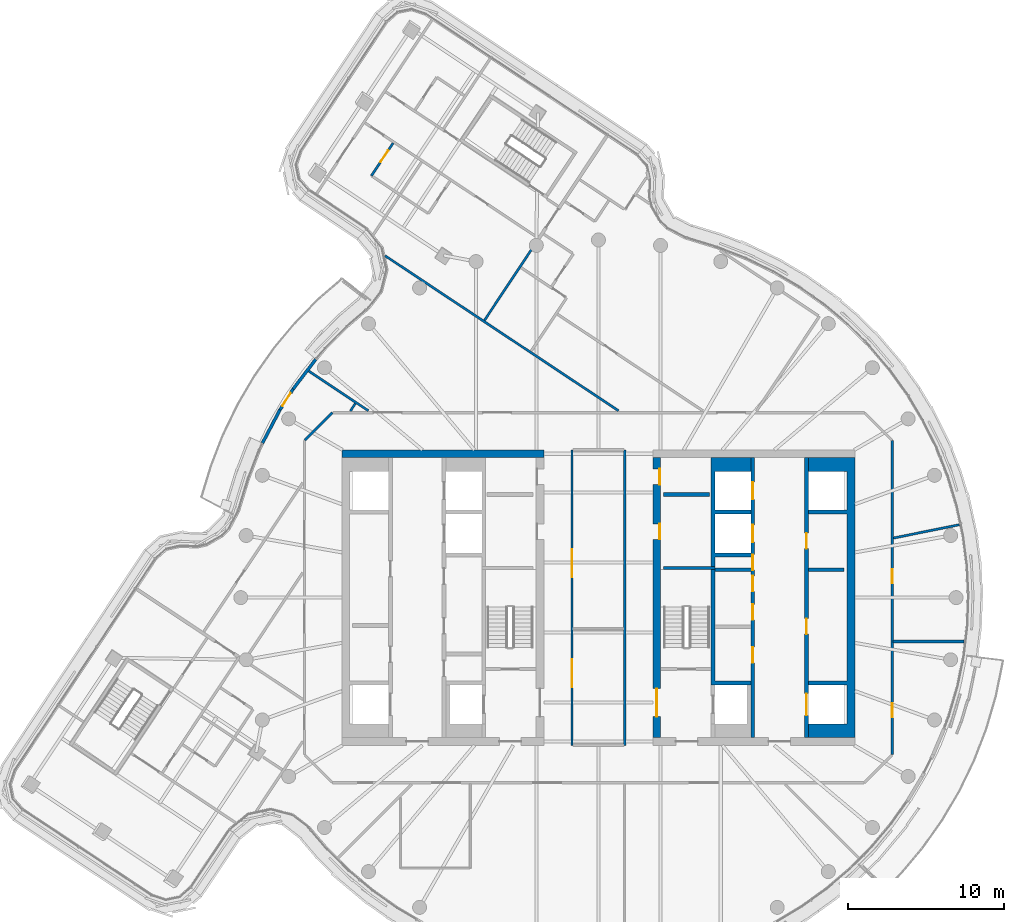
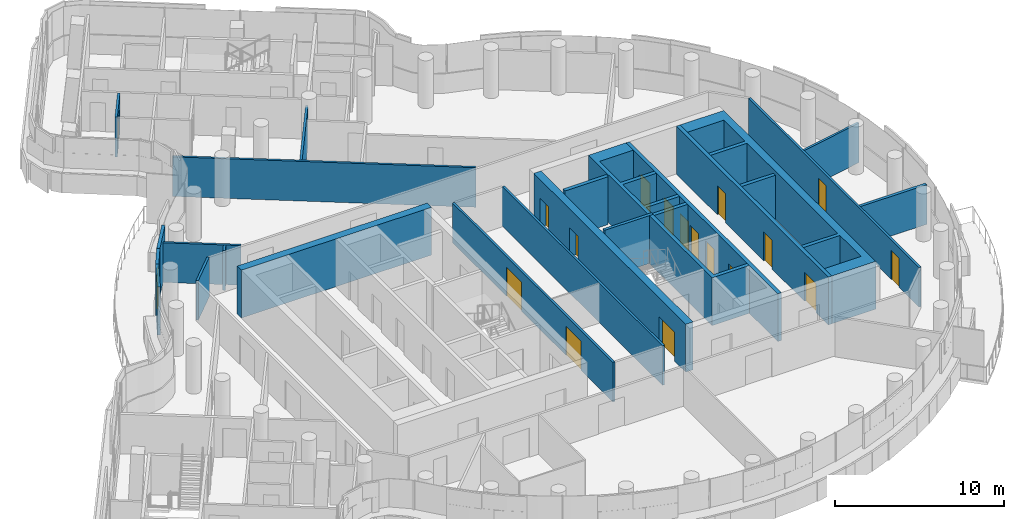
# One storey, part 19 of 27: 24 walls, 18 doors, 18 openings.
"""IFC4 building model written with IfcOpenShell, lengths in metres."""

from ifc_helpers import new_model, si_unit, direction, frame, frame_2d, origin, place, context, subcontext, project, spatial, polyline, rectangle, outline, extrude, material, layer, layer_set, type_object, element, fill, save


model = new_model("IFC4")

# Units and contexts
model_context = context("Model", 3, precision=1e-05, world=origin(), true_north=direction((0.0, 1.0)))
body_context = subcontext(model_context, "Body", "Model", "MODEL_VIEW")
ifc_project = project(units=[si_unit("LENGTHUNIT", "METRE"), si_unit("AREAUNIT", "SQUARE_METRE"), si_unit("VOLUMEUNIT", "CUBIC_METRE"), si_unit("PLANEANGLEUNIT", "RADIAN"), si_unit("MASSUNIT", "GRAM", prefix="KILO")], contexts=[model_context])

# Site, building, storey
site_placement = place(None, origin())
site = spatial("IfcSite", under=ifc_project, at=site_placement, CompositionType="ELEMENT")
building_placement = place(site_placement, origin())
building = spatial("IfcBuilding", under=site, at=building_placement, Name="Tamarind Cross Interchange Tower", CompositionType="ELEMENT")
storey_placement = place(building_placement, frame((0.0, 0.0, 237.89990234375)))
storey = spatial("IfcBuildingStorey", under=building, at=storey_placement, Name="L60", CompositionType="ELEMENT", Elevation=237.89990234375)

# Walls
ifc_material_1 = material(Name="Concrete C40", Category="concrete")
ifc_layer_1 = layer(ifc_material_1, 0.199951171875)
ifc_layer_set_1 = layer_set([ifc_layer_1], Name="Concrete C40")
wall_type_1 = type_object("IfcWallType", Name="Balcony and garden door wall", PredefinedType="SOLIDWALL", material=ifc_layer_set_1)
wall_1_placement = place(storey_placement, frame((-18.17138671875, 15.332275390625, 0.0), z_axis=(0.0, 0.0, 1.0), x_axis=(-0.606394798993, -0.795163723867, 0.0)))
element("IfcWall", 1, at=wall_1_placement, inside=storey, type_object=wall_type_1, Name="EXW-L60-06-D02L", PredefinedType="SOLIDWALL", context=body_context, shape_type="SweptSolid", body=[
    extrude(rectangle(XDim=2.405517578125, YDim=0.199951171875, at=frame_2d((1.20263671875, 0.0))), origin(), (0.0, 0.0, 1.0), 3.460205078125),
])
wall_2_placement = place(storey_placement, frame((-20.48486328125, 12.068359375, 0.0), z_axis=(0.0, 0.0, 1.0), x_axis=(-0.464985044418, -0.88531853503, 0.0)))
element("IfcWall", 2, at=wall_2_placement, inside=storey, type_object=wall_type_1, Name="EXW-L60-06-D02R", PredefinedType="SOLIDWALL", context=body_context, shape_type="SweptSolid", body=[
    extrude(rectangle(XDim=2.40576171875, YDim=0.199951171875, at=frame_2d((1.202880859375, 0.0))), origin(), (0.0, 0.0, 1.0), 3.460205078125),
])

# Wall, opening, door
wall_3_placement = place(storey_placement, frame((-19.630126953125, 13.41943359375, 0.0), z_axis=(0.0, 0.0, 1.0), x_axis=(-0.534630584226, -0.845085876352, 0.0)))
wall_3 = element("IfcWall", 3, at=wall_3_placement, inside=storey, type_object=wall_type_1, Name="EXW-L60-06-D02", PredefinedType="SOLIDWALL", context=body_context, shape_type="SweptSolid", body=[
    extrude(rectangle(XDim=1.5986328125, YDim=0.199951171875, at=frame_2d((0.79931640625, 0.0))), origin(), (0.0, 0.0, 1.0), 3.460205078125),
])
opening_1_placement = place(wall_3_placement, frame((0.29931640625, 0.0, 0.0)))
opening_1 = element("IfcOpeningElement", 4, at=opening_1_placement, cuts=wall_3, Name="Opening D2", PredefinedType="OPENING", context=body_context, shape_type="SweptSolid", body=[
    extrude(rectangle(XDim=1.0, YDim=2.39990234375, at=frame_2d((0.5, 1.199951171875))), frame((0.0, 0.10986328125, 0.0), z_axis=(0.0, -1.0, 0.0), x_axis=(1.0, 0.0, 0.0)), (0.0, 0.0, 1.0), 0.219970703125),
])
ifc_material_2 = material(Name="Aluminium and toughened glass", Category="aluminium")
door_type_1 = type_object("IfcDoorType", Name="Balcony and garden door", OperationType="SINGLE_SWING_LEFT", PredefinedType="DOOR", material=ifc_material_2)
door_1_placement = place(opening_1_placement, origin())
door_1 = element("IfcDoor", 5, at=door_1_placement, inside=storey, type_object=door_type_1, Name="DOR-L60-06-02", OperationType="SINGLE_SWING_LEFT", OverallHeight=2.39990234375, OverallWidth=1.0, PredefinedType="DOOR", context=body_context, shape_type="SweptSolid", body=[
    extrude(rectangle(XDim=1.0, YDim=2.39990234375, at=frame_2d((0.5, 1.199951171875))), frame((0.0, 0.02490234375, 0.0), z_axis=(0.0, -1.0, 0.0), x_axis=(1.0, 0.0, 0.0)), (0.0, 0.0, 1.0), 0.050048828125),
])
fill(opening_1, door_1)

# Walls
ifc_material_3 = material(Name="Concrete C50", Category="concrete")
ifc_layer_2 = layer(ifc_material_3, 0.5)
ifc_layer_set_2 = layer_set([ifc_layer_2], Name="Concrete C50")
wall_type_2 = type_object("IfcWallType", Name="Core wall 500 mm Concrete C50", PredefinedType="SHEAR", material=ifc_layer_set_2)
wall_4_placement = place(storey_placement, frame((-16.5, 9.25, 0.0), z_axis=(0.0, 0.0, 1.0), x_axis=(1.0, 0.0, 0.0)))
element("IfcWall", 6, at=wall_4_placement, inside=storey, type_object=wall_type_2, Name="Core wall CWL-L60-W-NE", PredefinedType="SHEAR", context=body_context, shape_type="SweptSolid", body=[
    extrude(rectangle(XDim=13.0, YDim=0.5, at=frame_2d((6.5, 0.0))), origin(), (0.0, 0.0, 1.0), 3.460205078125),
])
wall_5_placement = place(storey_placement, origin())
element("IfcWall", 7, at=wall_5_placement, inside=storey, type_object=wall_type_2, Name="Core wall CWL-L60-E-A", PredefinedType="SHEAR", context=body_context, shape_type="SweptSolid", body=[
    extrude(outline(polyline([(13.5, -8.125), (13.5, -9.0), (16.0, -9.0), (16.5, -9.0), (16.5, 9.0), (16.0, 9.0), (13.5, 9.0), (13.5, 8.125), (16.0, 8.125), (16.0, 5.625), (13.5, 5.625), (13.5, 5.375), (16.0, 5.375), (16.0, -5.375), (13.5, -5.375), (13.5, -5.625), (16.0, -5.625), (16.0, -8.125), (13.5, -8.125)])), origin(), (0.0, 0.0, 1.0), 3.460205078125),
])

# Wall, openings, doors
wall_6_placement = place(storey_placement, frame((3.75, -9.0, 0.0), z_axis=(0.0, 0.0, 1.0), x_axis=(0.0, 1.0, 0.0)))
wall_6 = element("IfcWall", 8, at=wall_6_placement, inside=storey, type_object=wall_type_2, Name="Core wall CWL-L60-E-IN", PredefinedType="SHEAR", context=body_context, shape_type="SweptSolid", body=[
    extrude(rectangle(XDim=18.0, YDim=0.5, at=frame_2d((9.0, 0.0))), origin(), (0.0, 0.0, 1.0), 3.460205078125),
])
opening_2_placement = place(wall_6_placement, frame((1.35009765625, 0.0, 0.0)))
opening_2 = element("IfcOpeningElement", 9, at=opening_2_placement, cuts=wall_6, Name="Opening DCE4", PredefinedType="OPENING", context=body_context, shape_type="SweptSolid", body=[
    extrude(rectangle(XDim=1.800048828125, YDim=2.10009765625, at=frame_2d((0.89990234375, 1.050048828125))), frame((0.0, 0.260009765625, 0.0), z_axis=(0.0, -1.0, 0.0), x_axis=(1.0, 0.0, 0.0)), (0.0, 0.0, 1.0), 0.52001953125),
])
opening_3_placement = place(wall_6_placement, frame((12.74951171875, 0.0, 0.0)))
opening_3 = element("IfcOpeningElement", 10, at=opening_3_placement, cuts=wall_6, Name="Opening DCE5", PredefinedType="OPENING", context=body_context, shape_type="SweptSolid", body=[
    extrude(rectangle(XDim=1.0, YDim=2.10009765625, at=frame_2d((0.5, 1.050048828125))), frame((0.0, 0.260009765625, 0.0), z_axis=(0.0, -1.0, 0.0), x_axis=(1.0, 0.0, 0.0)), (0.0, 0.0, 1.0), 0.52001953125),
])
opening_4_placement = place(wall_6_placement, frame((16.2744140625, 0.0, 0.0)))
opening_4 = element("IfcOpeningElement", 11, at=opening_4_placement, cuts=wall_6, Name="Opening DCE5", PredefinedType="OPENING", context=body_context, shape_type="SweptSolid", body=[
    extrude(rectangle(XDim=1.0, YDim=2.10009765625, at=frame_2d((0.5, 1.050048828125))), frame((0.0, 0.260009765625, 0.0), z_axis=(0.0, -1.0, 0.0), x_axis=(1.0, 0.0, 0.0)), (0.0, 0.0, 1.0), 0.52001953125),
])
ifc_material_4 = material(Name="Steel, fire-resisting", Category="steel")
door_type_2 = type_object("IfcDoorType", Name="Core fire door 1000 x 2100 FD90", OperationType="SINGLE_SWING_LEFT", PredefinedType="DOOR", material=ifc_material_4)
door_2_placement = place(opening_3_placement, origin())
door_2 = element("IfcDoor", 12, at=door_2_placement, inside=storey, type_object=door_type_2, Name="L60 riser room door", OperationType="SINGLE_SWING_LEFT", OverallHeight=2.10009765625, OverallWidth=1.0, PredefinedType="DOOR", context=body_context, shape_type="SweptSolid", body=[
    extrude(rectangle(XDim=1.0, YDim=2.10009765625, at=frame_2d((0.5, 1.050048828125))), frame((0.0, -0.1748046875, 0.0), z_axis=(0.0, -1.0, 0.0), x_axis=(1.0, 0.0, 0.0)), (0.0, 0.0, 1.0), 0.050048828125),
])
fill(opening_3, door_2)
door_3_placement = place(opening_4_placement, origin())
door_3 = element("IfcDoor", 13, at=door_3_placement, inside=storey, type_object=door_type_2, Name="L60 linen press door", OperationType="SINGLE_SWING_LEFT", OverallHeight=2.10009765625, OverallWidth=1.0, PredefinedType="DOOR", context=body_context, shape_type="SweptSolid", body=[
    extrude(rectangle(XDim=1.0, YDim=2.10009765625, at=frame_2d((0.5, 1.050048828125))), frame((0.0, -0.1748046875, 0.0), z_axis=(0.0, -1.0, 0.0), x_axis=(1.0, 0.0, 0.0)), (0.0, 0.0, 1.0), 0.050048828125),
])
fill(opening_4, door_3)
door_type_3 = type_object("IfcDoorType", Name="Core fire door 1800 x 2100 FD90", OperationType="SINGLE_SWING_LEFT", PredefinedType="DOOR", material=ifc_material_4)
door_4_placement = place(opening_2_placement, origin())
door_4 = element("IfcDoor", 14, at=door_4_placement, inside=storey, type_object=door_type_3, Name="L60 firefighting lobby door", OperationType="SINGLE_SWING_LEFT", OverallHeight=2.10009765625, OverallWidth=1.800048828125, PredefinedType="DOOR", context=body_context, shape_type="SweptSolid", body=[
    extrude(rectangle(XDim=1.800048828125, YDim=2.10009765625, at=frame_2d((0.89990234375, 1.050048828125))), frame((0.0, 0.02490234375, 0.0), z_axis=(0.0, -1.0, 0.0), x_axis=(1.0, 0.0, 0.0)), (0.0, 0.0, 1.0), 0.050048828125),
])
fill(opening_2, door_4)

# Walls
ifc_layer_3 = layer(ifc_material_3, 0.199951171875)
ifc_layer_set_3 = layer_set([ifc_layer_3], Name="Concrete C50")
wall_type_3 = type_object("IfcWallType", Name="Core web wall 200 mm Concrete C50", PredefinedType="SHEAR", material=ifc_layer_set_3)
wall_7_placement = place(storey_placement, frame((7.5, 1.89990234375, 0.0), z_axis=(0.0, 0.0, 1.0), x_axis=(-1.0, 0.0, 0.0)))
element("IfcWall", 15, at=wall_7_placement, inside=storey, type_object=wall_type_3, Name="Core wall CWL-L60-E-BD", PredefinedType="SHEAR", context=body_context, shape_type="SweptSolid", body=[
    extrude(rectangle(XDim=3.300048828125, YDim=0.199951171875, at=frame_2d((1.64990234375, 0.0))), origin(), (0.0, 0.0, 1.0), 3.460205078125),
])
ifc_layer_4 = layer(ifc_material_3, 0.25)
ifc_layer_set_4 = layer_set([ifc_layer_4], Name="Concrete C50")
wall_type_4 = type_object("IfcWallType", Name="Core web wall 250 mm Concrete C50", PredefinedType="SHEAR", material=ifc_layer_set_4)
wall_8_placement = place(storey_placement, origin())
element("IfcWall", 16, at=wall_8_placement, inside=storey, type_object=wall_type_4, Name="Core wall CWL-L60-E-BN", PredefinedType="SHEAR", context=body_context, shape_type="SweptSolid", body=[
    extrude(outline(polyline([(9.800048828125, -5.375), (7.5, -5.375), (7.5, 2.625), (9.800048828125, 2.625), (9.800048828125, 2.875), (7.5, 2.875), (7.5, 5.375), (9.800048828125, 5.375), (9.800048828125, 5.625), (7.5, 5.625), (7.5, 8.125), (9.800048828125, 8.125), (9.800048828125, 9.0), (7.5, 9.0), (7.25, 9.0), (7.25, -5.625), (7.5, -5.625), (9.800048828125, -5.625), (9.800048828125, -5.375)])), origin(), (0.0, 0.0, 1.0), 3.460205078125),
])

# Wall, openings, doors
wall_9_placement = place(storey_placement, frame((13.375, -9.0, 0.0), z_axis=(0.0, 0.0, 1.0), x_axis=(0.0, 1.0, 0.0)))
wall_9 = element("IfcWall", 17, at=wall_9_placement, inside=storey, type_object=wall_type_4, Name="Core wall CWL-L60-E-LA", PredefinedType="SHEAR", context=body_context, shape_type="SweptSolid", body=[
    extrude(rectangle(XDim=18.0, YDim=0.25, at=frame_2d((9.0, 0.0))), origin(), (0.0, 0.0, 1.0), 3.460205078125),
])
opening_5_placement = place(wall_9_placement, frame((1.425048828125, 0.0, 0.0)))
opening_5 = element("IfcOpeningElement", 18, at=opening_5_placement, cuts=wall_9, Name="Opening LD13L60", PredefinedType="OPENING", context=body_context, shape_type="SweptSolid", body=[
    extrude(rectangle(XDim=1.39990234375, YDim=2.10009765625, at=frame_2d((0.699951171875, 1.050048828125))), frame((0.0, 0.135009765625, 0.0), z_axis=(0.0, -1.0, 0.0), x_axis=(1.0, 0.0, 0.0)), (0.0, 0.0, 1.0), 0.27001953125),
])
opening_6_placement = place(wall_9_placement, frame((6.64599609375, 0.0, 0.0)))
opening_6 = element("IfcOpeningElement", 19, at=opening_6_placement, cuts=wall_9, Name="Opening DCE9", PredefinedType="OPENING", context=body_context, shape_type="SweptSolid", body=[
    extrude(rectangle(XDim=1.0, YDim=2.10009765625, at=frame_2d((0.5, 1.050048828125))), frame((0.0, 0.135009765625, 0.0), z_axis=(0.0, -1.0, 0.0), x_axis=(1.0, 0.0, 0.0)), (0.0, 0.0, 1.0), 0.27001953125),
])
opening_7_placement = place(wall_9_placement, frame((12.14599609375, 0.0, 0.0)))
opening_7 = element("IfcOpeningElement", 20, at=opening_7_placement, cuts=wall_9, Name="Opening DCE10", PredefinedType="OPENING", context=body_context, shape_type="SweptSolid", body=[
    extrude(rectangle(XDim=1.0, YDim=2.10009765625, at=frame_2d((0.5, 1.050048828125))), frame((0.0, 0.135009765625, 0.0), z_axis=(0.0, -1.0, 0.0), x_axis=(1.0, 0.0, 0.0)), (0.0, 0.0, 1.0), 0.27001953125),
])
door_5_placement = place(opening_6_placement, origin())
door_5 = element("IfcDoor", 21, at=door_5_placement, inside=storey, type_object=door_type_2, Name="L60 Ice and vending room door", OperationType="SINGLE_SWING_LEFT", OverallHeight=2.10009765625, OverallWidth=1.0, PredefinedType="DOOR", context=body_context, shape_type="SweptSolid", body=[
    extrude(rectangle(XDim=1.0, YDim=2.10009765625, at=frame_2d((0.5, 1.050048828125))), frame((0.0, 0.02490234375, 0.0), z_axis=(0.0, -1.0, 0.0), x_axis=(1.0, 0.0, 0.0)), (0.0, 0.0, 1.0), 0.050048828125),
])
fill(opening_6, door_5)
door_6_placement = place(opening_7_placement, origin())
door_6 = element("IfcDoor", 22, at=door_6_placement, inside=storey, type_object=door_type_2, Name="L60 Guest laundry door", OperationType="SINGLE_SWING_LEFT", OverallHeight=2.10009765625, OverallWidth=1.0, PredefinedType="DOOR", context=body_context, shape_type="SweptSolid", body=[
    extrude(rectangle(XDim=1.0, YDim=2.10009765625, at=frame_2d((0.5, 1.050048828125))), frame((0.0, 0.02490234375, 0.0), z_axis=(0.0, -1.0, 0.0), x_axis=(1.0, 0.0, 0.0)), (0.0, 0.0, 1.0), 0.050048828125),
])
fill(opening_7, door_6)
ifc_material_5 = material(Name="Stainless steel panel", Category="steel")
door_type_4 = type_object("IfcDoorType", Name="Lift landing door 1400 x 2100 E 120", OperationType="SLIDING_TO_LEFT", PredefinedType="DOOR", material=ifc_material_5)
door_7_placement = place(opening_5_placement, origin())
door_7 = element("IfcDoor", 23, at=door_7_placement, inside=storey, type_object=door_type_4, Name="L60 landing door LF13", OperationType="SLIDING_TO_LEFT", OverallHeight=2.10009765625, OverallWidth=1.39990234375, PredefinedType="DOOR", context=body_context, shape_type="SweptSolid", body=[
    extrude(rectangle(XDim=1.39990234375, YDim=2.10009765625, at=frame_2d((0.699951171875, 1.050048828125))), frame((0.0, 0.02490234375, 0.0), z_axis=(0.0, -1.0, 0.0), x_axis=(1.0, 0.0, 0.0)), (0.0, 0.0, 1.0), 0.050048828125),
])
fill(opening_5, door_7)

wall_10_placement = place(storey_placement, frame((9.925048828125, -9.0, 0.0), z_axis=(0.0, 0.0, 1.0), x_axis=(0.0, 1.0, 0.0)))
wall_10 = element("IfcWall", 24, at=wall_10_placement, inside=storey, type_object=wall_type_4, Name="Core wall CWL-L60-E-LB", PredefinedType="SHEAR", context=body_context, shape_type="SweptSolid", body=[
    extrude(rectangle(XDim=18.0, YDim=0.25, at=frame_2d((9.0, 0.0))), origin(), (0.0, 0.0, 1.0), 3.460205078125),
])
opening_8_placement = place(wall_10_placement, frame((12.574951171875, 0.0, 0.0)))
opening_8 = element("IfcOpeningElement", 25, at=opening_8_placement, cuts=wall_10, Name="Opening LD23L60", PredefinedType="OPENING", context=body_context, shape_type="SweptSolid", body=[
    extrude(rectangle(XDim=1.10009765625, YDim=2.10009765625, at=frame_2d((0.550048828125, 1.050048828125))), frame((0.0, 0.135009765625, 0.0), z_axis=(0.0, -1.0, 0.0), x_axis=(1.0, 0.0, 0.0)), (0.0, 0.0, 1.0), 0.27001953125),
])
opening_9_placement = place(wall_10_placement, frame((15.324951171875, 0.0, 0.0)))
opening_9 = element("IfcOpeningElement", 26, at=opening_9_placement, cuts=wall_10, Name="Opening LD24L60", PredefinedType="OPENING", context=body_context, shape_type="SweptSolid", body=[
    extrude(rectangle(XDim=1.10009765625, YDim=2.10009765625, at=frame_2d((0.550048828125, 1.050048828125))), frame((0.0, 0.135009765625, 0.0), z_axis=(0.0, -1.0, 0.0), x_axis=(1.0, 0.0, 0.0)), (0.0, 0.0, 1.0), 0.27001953125),
])
opening_10_placement = place(wall_10_placement, frame((4.8125, 0.0, 0.0)))
opening_10 = element("IfcOpeningElement", 27, at=opening_10_placement, cuts=wall_10, Name="Opening DCE21", PredefinedType="OPENING", context=body_context, shape_type="SweptSolid", body=[
    extrude(rectangle(XDim=1.0, YDim=2.10009765625, at=frame_2d((0.5, 1.050048828125))), frame((0.0, 0.135009765625, 0.0), z_axis=(0.0, -1.0, 0.0), x_axis=(1.0, 0.0, 0.0)), (0.0, 0.0, 1.0), 0.27001953125),
])
opening_11_placement = place(wall_10_placement, frame((7.5625, 0.0, 0.0)))
opening_11 = element("IfcOpeningElement", 28, at=opening_11_placement, cuts=wall_10, Name="Opening DCE22", PredefinedType="OPENING", context=body_context, shape_type="SweptSolid", body=[
    extrude(rectangle(XDim=1.0, YDim=2.10009765625, at=frame_2d((0.5, 1.050048828125))), frame((0.0, 0.135009765625, 0.0), z_axis=(0.0, -1.0, 0.0), x_axis=(1.0, 0.0, 0.0)), (0.0, 0.0, 1.0), 0.27001953125),
])
opening_12_placement = place(wall_10_placement, frame((9.39599609375, 0.0, 0.0)))
opening_12 = element("IfcOpeningElement", 29, at=opening_12_placement, cuts=wall_10, Name="Opening DCE21", PredefinedType="OPENING", context=body_context, shape_type="SweptSolid", body=[
    extrude(rectangle(XDim=1.0, YDim=2.10009765625, at=frame_2d((0.5, 1.050048828125))), frame((0.0, 0.135009765625, 0.0), z_axis=(0.0, -1.0, 0.0), x_axis=(1.0, 0.0, 0.0)), (0.0, 0.0, 1.0), 0.27001953125),
])
opening_13_placement = place(wall_10_placement, frame((10.77099609375, 0.0, 0.0)))
opening_13 = element("IfcOpeningElement", 30, at=opening_13_placement, cuts=wall_10, Name="Opening DCE22", PredefinedType="OPENING", context=body_context, shape_type="SweptSolid", body=[
    extrude(rectangle(XDim=1.0, YDim=2.10009765625, at=frame_2d((0.5, 1.050048828125))), frame((0.0, 0.135009765625, 0.0), z_axis=(0.0, -1.0, 0.0), x_axis=(1.0, 0.0, 0.0)), (0.0, 0.0, 1.0), 0.27001953125),
])
door_8_placement = place(opening_10_placement, origin())
door_8 = element("IfcDoor", 31, at=door_8_placement, inside=storey, type_object=door_type_2, Name="L60 Staff changing room door", OperationType="SINGLE_SWING_LEFT", OverallHeight=2.10009765625, OverallWidth=1.0, PredefinedType="DOOR", context=body_context, shape_type="SweptSolid", body=[
    extrude(rectangle(XDim=1.0, YDim=2.10009765625, at=frame_2d((0.5, 1.050048828125))), frame((0.0, 0.02490234375, 0.0), z_axis=(0.0, -1.0, 0.0), x_axis=(1.0, 0.0, 0.0)), (0.0, 0.0, 1.0), 0.050048828125),
])
fill(opening_10, door_8)
door_9_placement = place(opening_11_placement, origin())
door_9 = element("IfcDoor", 32, at=door_9_placement, inside=storey, type_object=door_type_2, Name="L60 Ice and vending room door", OperationType="SINGLE_SWING_LEFT", OverallHeight=2.10009765625, OverallWidth=1.0, PredefinedType="DOOR", context=body_context, shape_type="SweptSolid", body=[
    extrude(rectangle(XDim=1.0, YDim=2.10009765625, at=frame_2d((0.5, 1.050048828125))), frame((0.0, 0.02490234375, 0.0), z_axis=(0.0, -1.0, 0.0), x_axis=(1.0, 0.0, 0.0)), (0.0, 0.0, 1.0), 0.050048828125),
])
fill(opening_11, door_9)
door_10_placement = place(opening_12_placement, origin())
door_10 = element("IfcDoor", 33, at=door_10_placement, inside=storey, type_object=door_type_2, Name="L60 Staff changing room door", OperationType="SINGLE_SWING_LEFT", OverallHeight=2.10009765625, OverallWidth=1.0, PredefinedType="DOOR", context=body_context, shape_type="SweptSolid", body=[
    extrude(rectangle(XDim=1.0, YDim=2.10009765625, at=frame_2d((0.5, 1.050048828125))), frame((0.0, 0.02490234375, 0.0), z_axis=(0.0, -1.0, 0.0), x_axis=(1.0, 0.0, 0.0)), (0.0, 0.0, 1.0), 0.050048828125),
])
fill(opening_12, door_10)
door_11_placement = place(opening_13_placement, origin())
door_11 = element("IfcDoor", 34, at=door_11_placement, inside=storey, type_object=door_type_2, Name="L60 Ice and vending room door", OperationType="SINGLE_SWING_LEFT", OverallHeight=2.10009765625, OverallWidth=1.0, PredefinedType="DOOR", context=body_context, shape_type="SweptSolid", body=[
    extrude(rectangle(XDim=1.0, YDim=2.10009765625, at=frame_2d((0.5, 1.050048828125))), frame((0.0, 0.02490234375, 0.0), z_axis=(0.0, -1.0, 0.0), x_axis=(1.0, 0.0, 0.0)), (0.0, 0.0, 1.0), 0.050048828125),
])
fill(opening_13, door_11)
door_type_5 = type_object("IfcDoorType", Name="Lift landing door 1100 x 2100 E 120", OperationType="SLIDING_TO_LEFT", PredefinedType="DOOR", material=ifc_material_5)
door_12_placement = place(opening_8_placement, origin())
door_12 = element("IfcDoor", 35, at=door_12_placement, inside=storey, type_object=door_type_5, Name="L60 landing door LF23", OperationType="SLIDING_TO_LEFT", OverallHeight=2.10009765625, OverallWidth=1.10009765625, PredefinedType="DOOR", context=body_context, shape_type="SweptSolid", body=[
    extrude(rectangle(XDim=1.10009765625, YDim=2.10009765625, at=frame_2d((0.550048828125, 1.050048828125))), frame((0.0, 0.02490234375, 0.0), z_axis=(0.0, -1.0, 0.0), x_axis=(1.0, 0.0, 0.0)), (0.0, 0.0, 1.0), 0.050048828125),
])
fill(opening_8, door_12)
door_13_placement = place(opening_9_placement, origin())
door_13 = element("IfcDoor", 36, at=door_13_placement, inside=storey, type_object=door_type_5, Name="L60 landing door LF24", OperationType="SLIDING_TO_LEFT", OverallHeight=2.10009765625, OverallWidth=1.10009765625, PredefinedType="DOOR", context=body_context, shape_type="SweptSolid", body=[
    extrude(rectangle(XDim=1.10009765625, YDim=2.10009765625, at=frame_2d((0.550048828125, 1.050048828125))), frame((0.0, 0.02490234375, 0.0), z_axis=(0.0, -1.0, 0.0), x_axis=(1.0, 0.0, 0.0)), (0.0, 0.0, 1.0), 0.050048828125),
])
fill(opening_9, door_13)

# Walls
ifc_material_6 = material(Name="Gypsum board partition on steel studs", Category="steel")
ifc_layer_5 = layer(ifc_material_6, 0.14990234375)
ifc_layer_set_5 = layer_set([ifc_layer_5], Name="Gypsum board partition on steel studs")
wall_type_5 = type_object("IfcWallType", Name="Partition 150 mm EI 120", PredefinedType="PARTITIONING", material=ifc_layer_set_5)
wall_11_placement = place(storey_placement, frame((-18.6630859375, 14.58935546875, 0.0), z_axis=(0.0, 0.0, 1.0), x_axis=(0.833043201899, -0.553207938997, 0.0)))
element("IfcWall", 37, at=wall_11_placement, inside=storey, type_object=wall_type_5, Name="Partition L60-012", PredefinedType="PARTITIONING", context=body_context, shape_type="SweptSolid", body=[
    extrude(rectangle(XDim=4.646728515625, YDim=0.14990234375, at=frame_2d((2.3232421875, 0.0))), origin(), (0.0, 0.0, 1.0), 2.864013671875),
])
wall_12_placement = place(storey_placement, frame((-13.716552734375, 21.984619140625, 0.0), z_axis=(0.0, 0.0, 1.0), x_axis=(0.833087033507, -0.553141929891, 0.0)))
element("IfcWall", 38, at=wall_12_placement, inside=storey, type_object=wall_type_5, Name="Partition L60-017", PredefinedType="PARTITIONING", context=body_context, shape_type="SweptSolid", body=[
    extrude(rectangle(XDim=18.016845703125, YDim=0.14990234375, at=frame_2d((9.00830078125, 0.0))), origin(), (0.0, 0.0, 1.0), 2.864013671875),
])
wall_13_placement = place(storey_placement, frame((18.973388671875, 3.831787109375, 0.0), z_axis=(0.0, 0.0, 1.0), x_axis=(0.980158884244, 0.198213424463, 0.0)))
element("IfcWall", 39, at=wall_13_placement, inside=storey, type_object=wall_type_5, Name="Partition L60-034", PredefinedType="PARTITIONING", context=body_context, shape_type="SweptSolid", body=[
    extrude(rectangle(XDim=4.319580078125, YDim=0.14990234375, at=frame_2d((2.15966796875, 0.0))), origin(), (0.0, 0.0, 1.0), 2.864013671875),
])
wall_14_placement = place(storey_placement, frame((-18.87158203125, 10.12841796875, 0.0), z_axis=(0.0, 0.0, 1.0), x_axis=(0.707106781187, 0.707106781187, 0.0)))
element("IfcWall", 40, at=wall_14_placement, inside=storey, type_object=wall_type_5, Name="Partition L60-035", PredefinedType="PARTITIONING", context=body_context, shape_type="SweptSolid", body=[
    extrude(rectangle(XDim=2.50537109375, YDim=0.14990234375, at=frame_2d((1.252685546875, 0.0))), origin(), (0.0, 0.0, 1.0), 2.864013671875),
])
wall_15_placement = place(storey_placement, frame((-15.95361328125, 12.0, 0.0), z_axis=(0.0, 0.0, 1.0), x_axis=(0.55314016621, 0.833088204529, 0.0)))
element("IfcWall", 41, at=wall_15_placement, inside=storey, type_object=wall_type_5, Name="Partition L60-041", PredefinedType="PARTITIONING", context=body_context, shape_type="SweptSolid", body=[
    extrude(rectangle(XDim=0.578125, YDim=0.14990234375, at=frame_2d((0.2890625, 0.0))), origin(), (0.0, 0.0, 1.0), 2.864013671875),
])

# Wall, opening, door
wall_16_placement = place(storey_placement, frame((-14.597900390625, 27.131103515625, 0.0), z_axis=(0.0, 0.0, 1.0), x_axis=(0.553111776715, 0.83310705342, 0.0)))
wall_16 = element("IfcWall", 42, at=wall_16_placement, inside=storey, type_object=wall_type_5, Name="Partition L60-046", PredefinedType="PARTITIONING", context=body_context, shape_type="SweptSolid", body=[
    extrude(rectangle(XDim=2.52001953125, YDim=0.14990234375, at=frame_2d((1.260009765625, 0.0))), origin(), (0.0, 0.0, 1.0), 2.864013671875),
])
opening_14_placement = place(wall_16_placement, frame((1.050048828125, 0.0, 0.0)))
opening_14 = element("IfcOpeningElement", 43, at=opening_14_placement, cuts=wall_16, Name="Opening D23", PredefinedType="OPENING", context=body_context, shape_type="SweptSolid", body=[
    extrude(rectangle(XDim=0.89990234375, YDim=2.10009765625, at=frame_2d((0.449951171875, 1.050048828125))), frame((0.0, 0.0849609375, 0.0), z_axis=(0.0, -1.0, 0.0), x_axis=(1.0, 0.0, 0.0)), (0.0, 0.0, 1.0), 0.169921875),
])
ifc_material_7 = material(Name="Fire-resisting door set")
door_type_6 = type_object("IfcDoorType", Name="Interior door 900 x 2100 FD60S", OperationType="SINGLE_SWING_LEFT", PredefinedType="DOOR", material=ifc_material_7)
door_14_placement = place(opening_14_placement, frame((0.89990234375, 0.0, 0.0), z_axis=(0.0, 0.0, 1.0), x_axis=(-1.0, 0.0, 0.0)))
door_14 = element("IfcDoor", 44, at=door_14_placement, inside=storey, type_object=door_type_6, Name="Door D23", OperationType="SINGLE_SWING_RIGHT", OverallHeight=2.10009765625, OverallWidth=0.89990234375, PredefinedType="DOOR", context=body_context, shape_type="SweptSolid", body=[
    extrude(rectangle(XDim=0.89990234375, YDim=2.10009765625, at=frame_2d((0.449951171875, 1.050048828125))), frame((0.0, 0.02490234375, 0.0), z_axis=(0.0, -1.0, 0.0), x_axis=(1.0, 0.0, 0.0)), (0.0, 0.0, 1.0), 0.050048828125),
])
fill(opening_14, door_14)

# Wall
wall_17_placement = place(storey_placement, frame((-7.32470703125, 17.836669921875, 0.0), z_axis=(0.0, 0.0, 1.0), x_axis=(0.553097438288, 0.833116572731, 0.0)))
element("IfcWall", 45, at=wall_17_placement, inside=storey, type_object=wall_type_5, Name="Partition L60-051", PredefinedType="PARTITIONING", context=body_context, shape_type="SweptSolid", body=[
    extrude(rectangle(XDim=5.6279296875, YDim=0.14990234375, at=frame_2d((2.81396484375, 0.0))), origin(), (0.0, 0.0, 1.0), 2.864013671875),
])

# Wall, openings, doors
wall_18_placement = place(storey_placement, frame((-1.699951171875, -9.5, 0.0), z_axis=(0.0, 0.0, 1.0), x_axis=(0.0, 1.0, 0.0)))
wall_18 = element("IfcWall", 46, at=wall_18_placement, inside=storey, type_object=wall_type_5, Name="Partition L60-061", PredefinedType="PARTITIONING", context=body_context, shape_type="SweptSolid", body=[
    extrude(rectangle(XDim=19.0, YDim=0.14990234375, at=frame_2d((9.5, 0.0))), origin(), (0.0, 0.0, 1.0), 2.864013671875),
])
opening_15_placement = place(wall_18_placement, frame((3.75, 0.0, 0.0)))
opening_15 = element("IfcOpeningElement", 47, at=opening_15_placement, cuts=wall_18, Name="Opening D32", PredefinedType="OPENING", context=body_context, shape_type="SweptSolid", body=[
    extrude(rectangle(XDim=1.800048828125, YDim=2.10009765625, at=frame_2d((0.89990234375, 1.050048828125))), frame((0.0, 0.0849609375, 0.0), z_axis=(0.0, -1.0, 0.0), x_axis=(1.0, 0.0, 0.0)), (0.0, 0.0, 1.0), 0.169921875),
])
opening_16_placement = place(wall_18_placement, frame((10.800048828125, 0.0, 0.0)))
opening_16 = element("IfcOpeningElement", 48, at=opening_16_placement, cuts=wall_18, Name="Opening D33", PredefinedType="OPENING", context=body_context, shape_type="SweptSolid", body=[
    extrude(rectangle(XDim=1.800048828125, YDim=2.10009765625, at=frame_2d((0.89990234375, 1.050048828125))), frame((0.0, 0.0849609375, 0.0), z_axis=(0.0, -1.0, 0.0), x_axis=(1.0, 0.0, 0.0)), (0.0, 0.0, 1.0), 0.169921875),
])
door_type_7 = type_object("IfcDoorType", Name="Interior door 1800 x 2100 FD60S", OperationType="DOUBLE_DOOR_SINGLE_SWING", PredefinedType="DOOR", material=ifc_material_7)
door_15_placement = place(opening_15_placement, frame((1.800048828125, 0.0, 0.0), z_axis=(0.0, 0.0, 1.0), x_axis=(-1.0, 0.0, 0.0)))
door_15 = element("IfcDoor", 49, at=door_15_placement, inside=storey, type_object=door_type_7, Name="Door D32", OperationType="DOUBLE_DOOR_SINGLE_SWING", OverallHeight=2.10009765625, OverallWidth=1.800048828125, PredefinedType="DOOR", context=body_context, shape_type="SweptSolid", body=[
    extrude(rectangle(XDim=1.800048828125, YDim=2.10009765625, at=frame_2d((0.89990234375, 1.050048828125))), frame((0.0, 0.02490234375, 0.0), z_axis=(0.0, -1.0, 0.0), x_axis=(1.0, 0.0, 0.0)), (0.0, 0.0, 1.0), 0.050048828125),
])
fill(opening_15, door_15)
door_16_placement = place(opening_16_placement, frame((1.800048828125, 0.0, 0.0), z_axis=(0.0, 0.0, 1.0), x_axis=(-1.0, 0.0, 0.0)))
door_16 = element("IfcDoor", 50, at=door_16_placement, inside=storey, type_object=door_type_7, Name="Door D33", OperationType="DOUBLE_DOOR_SINGLE_SWING", OverallHeight=2.10009765625, OverallWidth=1.800048828125, PredefinedType="DOOR", context=body_context, shape_type="SweptSolid", body=[
    extrude(rectangle(XDim=1.800048828125, YDim=2.10009765625, at=frame_2d((0.89990234375, 1.050048828125))), frame((0.0, 0.02490234375, 0.0), z_axis=(0.0, -1.0, 0.0), x_axis=(1.0, 0.0, 0.0)), (0.0, 0.0, 1.0), 0.050048828125),
])
fill(opening_16, door_16)

# Wall
wall_19_placement = place(storey_placement, frame((1.699951171875, -9.5, 0.0), z_axis=(0.0, 0.0, 1.0), x_axis=(0.0, 1.0, 0.0)))
element("IfcWall", 51, at=wall_19_placement, inside=storey, type_object=wall_type_5, Name="Partition L60-063", PredefinedType="PARTITIONING", context=body_context, shape_type="SweptSolid", body=[
    extrude(rectangle(XDim=19.0, YDim=0.14990234375, at=frame_2d((9.5, 0.0))), origin(), (0.0, 0.0, 1.0), 2.864013671875),
])

# Wall, openings, doors
wall_20_placement = place(storey_placement, frame((18.89990234375, -10.10009765625, 0.0), z_axis=(0.0, 0.0, 1.0), x_axis=(0.0, 1.0, 0.0)))
wall_20 = element("IfcWall", 52, at=wall_20_placement, inside=storey, type_object=wall_type_5, Name="Partition L60-064", PredefinedType="PARTITIONING", context=body_context, shape_type="SweptSolid", body=[
    extrude(rectangle(XDim=20.2001953125, YDim=0.14990234375, at=frame_2d((10.10009765625, 0.0))), origin(), (0.0, 0.0, 1.0), 2.864013671875),
])
opening_17_placement = place(wall_20_placement, frame((2.39990234375, 0.0, 0.0)))
opening_17 = element("IfcOpeningElement", 53, at=opening_17_placement, cuts=wall_20, Name="Opening D34", PredefinedType="OPENING", context=body_context, shape_type="SweptSolid", body=[
    extrude(rectangle(XDim=0.89990234375, YDim=2.10009765625, at=frame_2d((0.449951171875, 1.050048828125))), frame((0.0, 0.0849609375, 0.0), z_axis=(0.0, -1.0, 0.0), x_axis=(1.0, 0.0, 0.0)), (0.0, 0.0, 1.0), 0.169921875),
])
opening_18_placement = place(wall_20_placement, frame((11.0380859375, 0.0, 0.0)))
opening_18 = element("IfcOpeningElement", 54, at=opening_18_placement, cuts=wall_20, Name="Opening D35", PredefinedType="OPENING", context=body_context, shape_type="SweptSolid", body=[
    extrude(rectangle(XDim=0.89990234375, YDim=2.10009765625, at=frame_2d((0.449951171875, 1.050048828125))), frame((0.0, 0.0849609375, 0.0), z_axis=(0.0, -1.0, 0.0), x_axis=(1.0, 0.0, 0.0)), (0.0, 0.0, 1.0), 0.169921875),
])
door_17_placement = place(opening_17_placement, frame((0.89990234375, 0.0, 0.0), z_axis=(0.0, 0.0, 1.0), x_axis=(-1.0, 0.0, 0.0)))
door_17 = element("IfcDoor", 55, at=door_17_placement, inside=storey, type_object=door_type_6, Name="Door D34", OperationType="SINGLE_SWING_LEFT", OverallHeight=2.10009765625, OverallWidth=0.89990234375, PredefinedType="DOOR", context=body_context, shape_type="SweptSolid", body=[
    extrude(rectangle(XDim=0.89990234375, YDim=2.10009765625, at=frame_2d((0.449951171875, 1.050048828125))), frame((0.0, 0.02490234375, 0.0), z_axis=(0.0, -1.0, 0.0), x_axis=(1.0, 0.0, 0.0)), (0.0, 0.0, 1.0), 0.050048828125),
])
fill(opening_17, door_17)
door_18_placement = place(opening_18_placement, frame((0.89990234375, 0.0, 0.0), z_axis=(0.0, 0.0, 1.0), x_axis=(-1.0, 0.0, 0.0)))
door_18 = element("IfcDoor", 56, at=door_18_placement, inside=storey, type_object=door_type_6, Name="Door D35", OperationType="SINGLE_SWING_RIGHT", OverallHeight=2.10009765625, OverallWidth=0.89990234375, PredefinedType="DOOR", context=body_context, shape_type="SweptSolid", body=[
    extrude(rectangle(XDim=0.89990234375, YDim=2.10009765625, at=frame_2d((0.449951171875, 1.050048828125))), frame((0.0, 0.02490234375, 0.0), z_axis=(0.0, -1.0, 0.0), x_axis=(1.0, 0.0, 0.0)), (0.0, 0.0, 1.0), 0.050048828125),
])
fill(opening_18, door_18)

# Walls
ifc_layer_6 = layer(ifc_material_6, 0.199951171875)
ifc_layer_set_6 = layer_set([ifc_layer_6], Name="Gypsum board partition on steel studs")
wall_type_6 = type_object("IfcWallType", Name="Partition 200 mm EI 180", PredefinedType="PARTITIONING", material=ifc_layer_set_6)
wall_21_placement = place(storey_placement, frame((18.955078125, -2.81201171875, 0.0), z_axis=(0.0, 0.0, 1.0), x_axis=(1.0, 0.0, 0.0)))
element("IfcWall", 57, at=wall_21_placement, inside=storey, type_object=wall_type_6, Name="Partition L60-033", PredefinedType="PARTITIONING", context=body_context, shape_type="SweptSolid", body=[
    extrude(rectangle(XDim=4.5517578125, YDim=0.199951171875, at=frame_2d((2.27587890625, 0.0))), origin(), (0.0, 0.0, 1.0), 2.864013671875),
])
ifc_layer_7 = layer(ifc_material_1, 0.25)
ifc_layer_set_7 = layer_set([ifc_layer_7], Name="Concrete C40")
wall_type_7 = type_object("IfcWallType", Name="Shaft and lobby wall 250 mm Concrete C40", PredefinedType="PARTITIONING", material=ifc_layer_set_7)
wall_22_placement = place(storey_placement, frame((7.14990234375, 6.6240234375, 0.0), z_axis=(0.0, 0.0, 1.0), x_axis=(-1.0, 0.0, 0.0)))
element("IfcWall", 58, at=wall_22_placement, inside=storey, type_object=wall_type_7, Name="Shaft wall CWL-L60-E-SVP", PredefinedType="PARTITIONING", context=body_context, shape_type="SweptSolid", body=[
    extrude(rectangle(XDim=2.949951171875, YDim=0.25, at=frame_2d((1.47509765625, 0.0))), origin(), (0.0, 0.0, 1.0), 3.460205078125),
])
for number, where, z_axis, x_axis, name in (
    (59, (15.800048828125, 1.7919921875, 0.0), (0.0, 0.0, 1.0), (-1.0, 0.0, 0.0), "Shaft wall CWL-L60-E-FPA1"),
    (60, (9.800048828125, 1.7919921875, 0.0), (0.0, 0.0, 1.0), (-1.0, 0.0, 0.0), "Shaft wall CWL-L60-E-FPB3"),
):
    element("IfcWall", number, at=place(storey_placement, frame(where, z_axis=z_axis, x_axis=x_axis)), inside=storey, type_object=wall_type_7, Name=name, PredefinedType="PARTITIONING", context=body_context, shape_type="SweptSolid", body=[
        extrude(rectangle(XDim=2.300048828125, YDim=0.25, at=frame_2d((1.14990234375, 0.0))), origin(), (0.0, 0.0, 1.0), 3.460205078125),
    ])

save(model, "model.ifc")
